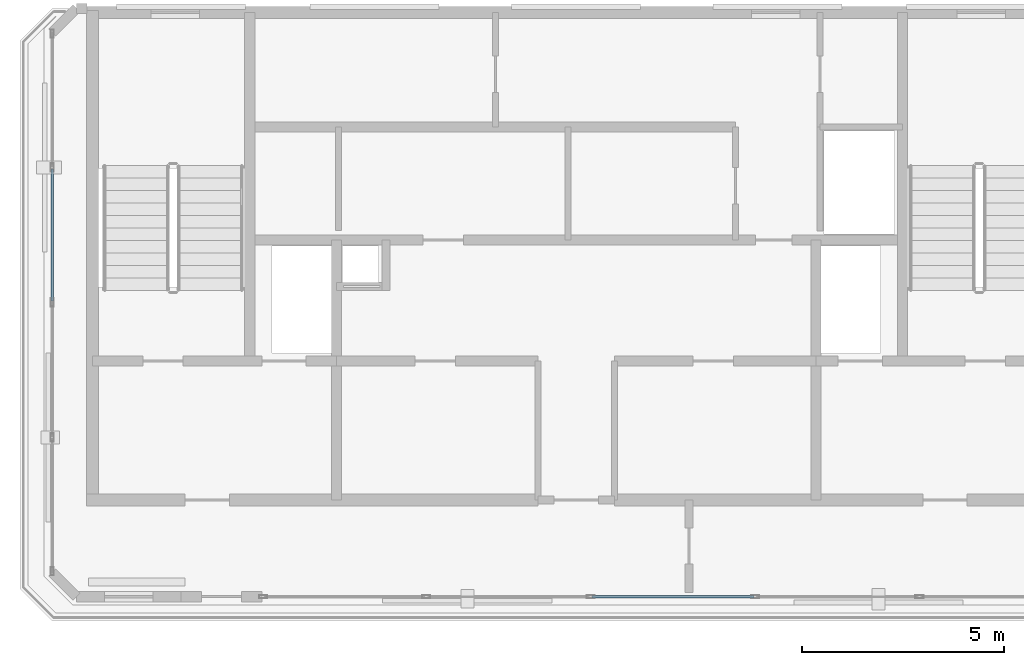
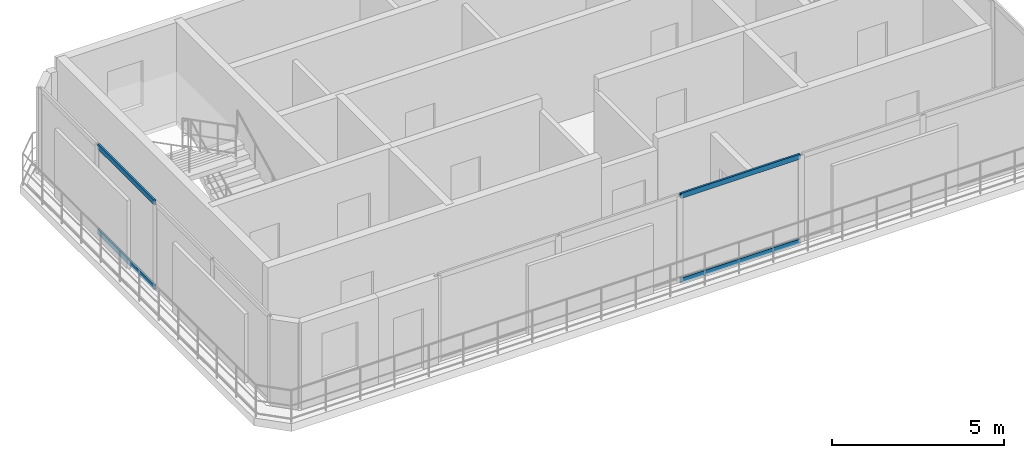
# One storey, part 2 of 7: 4 members, 2 elements without a shape of their own.
"""IFC4 building model written with IfcOpenShell, lengths in metres."""

from ifc_helpers import new_model, si_unit, direction, frame, origin, origin_2d, place, context, subcontext, project, spatial, hollow_rectangle, extrude, material, layer, layer_set, material_profile, profile_set, type_object, element, aggregate, save


model = new_model("IFC4")

# Units and contexts
model_context = context("Model", 3, precision=1e-05, world=origin(), true_north=direction((0.0, 1.0)))
body_context = subcontext(model_context, "Body", "Model", "MODEL_VIEW")
ifc_project = project(units=[si_unit("LENGTHUNIT", "METRE"), si_unit("AREAUNIT", "SQUARE_METRE"), si_unit("VOLUMEUNIT", "CUBIC_METRE"), si_unit("PLANEANGLEUNIT", "RADIAN"), si_unit("MASSUNIT", "GRAM", prefix="KILO")], contexts=[model_context])

# Site, building, storey
site_placement = place(None, origin())
site = spatial("IfcSite", under=ifc_project, at=site_placement, CompositionType="ELEMENT")
building_placement = place(site_placement, origin())
building = spatial("IfcBuilding", under=site, at=building_placement, Name="Catumbela Crestline Tower", CompositionType="ELEMENT")
storey_placement = place(building_placement, frame((0.0, 0.0, 315.0)))
storey = spatial("IfcBuildingStorey", under=building, at=storey_placement, Name="L81", CompositionType="ELEMENT", Elevation=315.0)

# Curtain wall, members
ifc_material = material(Name="Aluminium alloy AW-6060-T66", Category="aluminium")
ifc_layer = layer(ifc_material, 0.18, Name="Aluminium alloy AW-6060-T66")
ifc_layer_set = layer_set([ifc_layer], Name="Aluminium alloy AW-6060-T66")
curtain_wall_type = type_object("IfcCurtainWallType", Name="CWS-OBS", PredefinedType="USERDEFINED", material=ifc_layer_set)
curtain_wall_1_placement = place(storey_placement, origin())
curtain_wall_1 = element("IfcCurtainWall", 1, at=curtain_wall_1_placement, inside=storey, type_object=curtain_wall_type, Name="L81 Stick Curtain Wall CW-L81-E0S2", ObjectType="STICK", PredefinedType="USERDEFINED")
ifc_material_profile = material_profile(ifc_material, hollow_rectangle(XDim=0.065, YDim=0.18, WallThickness=0.004, at=origin_2d()), Name="ALU 180x65x4")
ifc_profile_set = profile_set([ifc_material_profile], Name="Aluminium alloy AW-6060-T66")
member_type = type_object("IfcMemberType", Name="TRN-180X65", PredefinedType="USERDEFINED", material=ifc_profile_set)
member_1_placement = place(storey_placement, frame((28.3925, 28.4, 0.03), z_axis=(1.0, 0.0, 0.0), x_axis=(0.0, 1.0, 0.0)))
member_1 = element("IfcMember", 2, at=member_1_placement, type_object=member_type, Name="CWS-OBS transom 3.1", ObjectType="TRANSOM", PredefinedType="USERDEFINED", context=body_context, shape_type="SweptSolid", body=[
    extrude(hollow_rectangle(XDim=0.065, YDim=0.18, WallThickness=0.004, at=origin_2d()), origin(), (0.0, 0.0, 1.0), 4.015),
])
member_2_placement = place(storey_placement, frame((28.3925, 28.4, 3.04), z_axis=(1.0, 0.0, 0.0), x_axis=(0.0, 1.0, 0.0)))
member_2 = element("IfcMember", 3, at=member_2_placement, type_object=member_type, Name="CWS-OBS transom 3.2", ObjectType="TRANSOM", PredefinedType="USERDEFINED", context=body_context, shape_type="SweptSolid", body=[
    extrude(hollow_rectangle(XDim=0.065, YDim=0.18, WallThickness=0.004, at=origin_2d()), origin(), (0.0, 0.0, 1.0), 4.015),
])
aggregate(curtain_wall_1, [member_1, member_2])

curtain_wall_2_placement = place(storey_placement, origin())
curtain_wall_2 = element("IfcCurtainWall", 4, at=curtain_wall_2_placement, inside=storey, type_object=curtain_wall_type, Name="L81 Stick Curtain Wall CW-L81-E6S1", ObjectType="STICK", PredefinedType="USERDEFINED")
member_3_placement = place(storey_placement, frame((15.0, 39.0175, 0.03), z_axis=(0.0, -1.0, 0.0), x_axis=(1.0, 0.0, 0.0)))
member_3 = element("IfcMember", 5, at=member_3_placement, type_object=member_type, Name="CWS-OBS transom 2.1", ObjectType="TRANSOM", PredefinedType="USERDEFINED", context=body_context, shape_type="SweptSolid", body=[
    extrude(hollow_rectangle(XDim=0.065, YDim=0.18, WallThickness=0.004, at=origin_2d()), origin(), (0.0, 0.0, 1.0), 3.285),
])
member_4_placement = place(storey_placement, frame((15.0, 39.0175, 3.04), z_axis=(0.0, -1.0, 0.0), x_axis=(1.0, 0.0, 0.0)))
member_4 = element("IfcMember", 6, at=member_4_placement, type_object=member_type, Name="CWS-OBS transom 2.2", ObjectType="TRANSOM", PredefinedType="USERDEFINED", context=body_context, shape_type="SweptSolid", body=[
    extrude(hollow_rectangle(XDim=0.065, YDim=0.18, WallThickness=0.004, at=origin_2d()), origin(), (0.0, 0.0, 1.0), 3.285),
])
aggregate(curtain_wall_2, [member_3, member_4])

save(model, "model.ifc")
